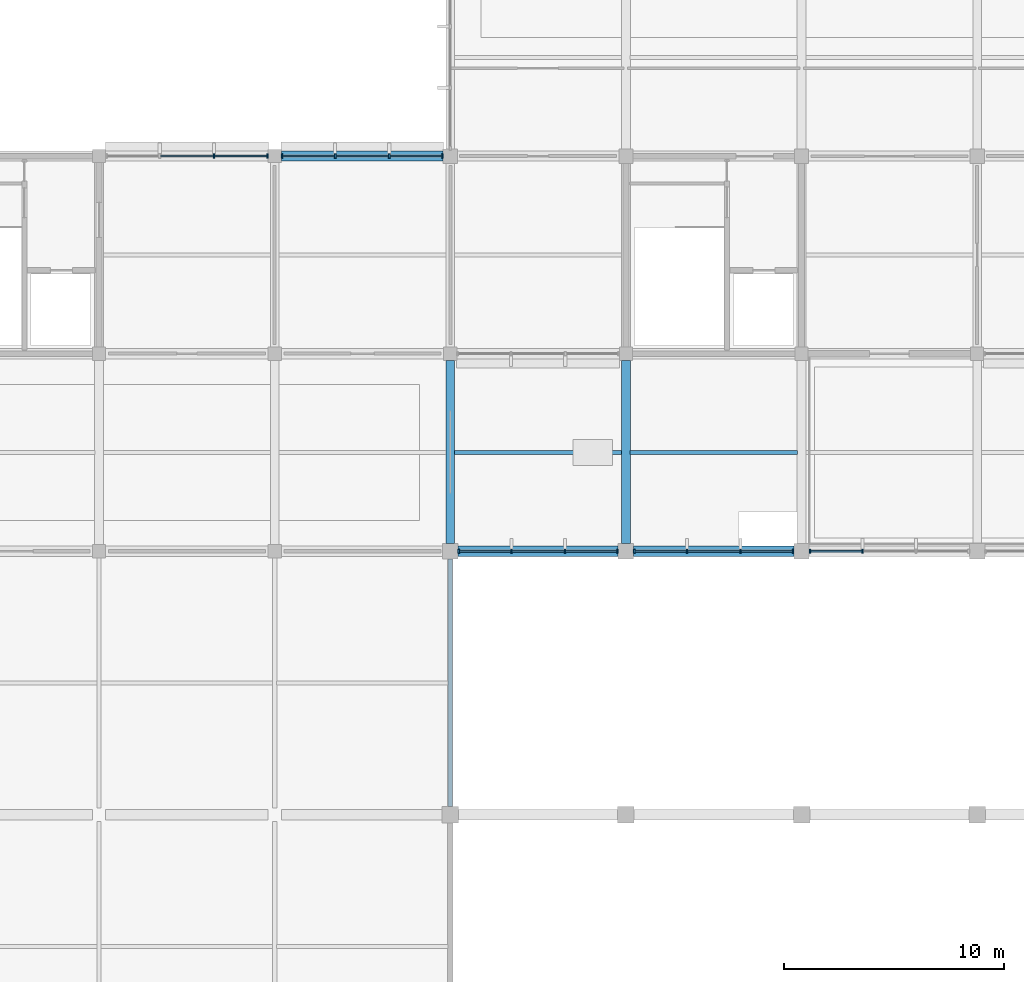
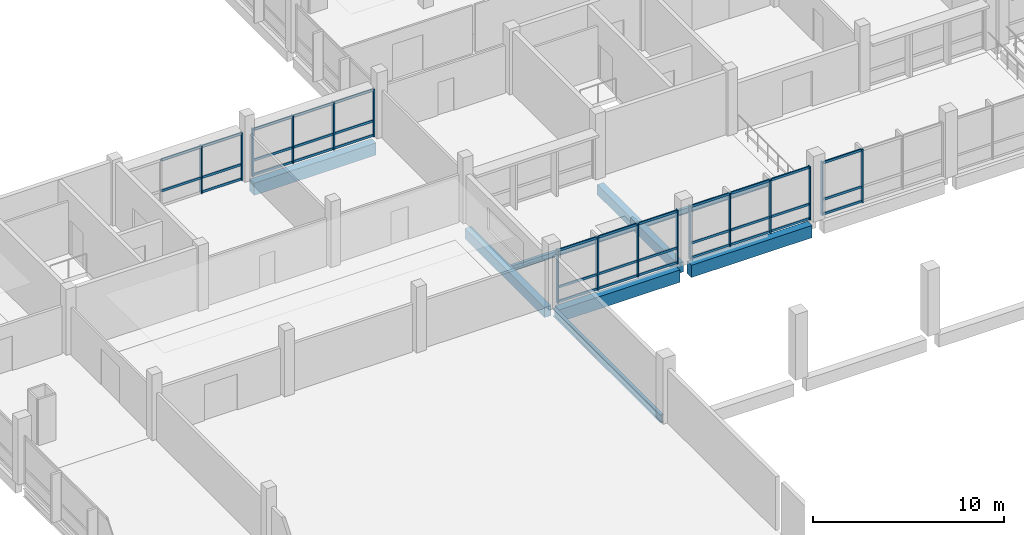
# One storey, part 19 of 70: 51 members, 8 beams, 5 elements without a shape of their own.
"""IFC4 building model written with IfcOpenShell, lengths in metres."""

from ifc_helpers import new_model, si_unit, direction, frame, origin, origin_2d, place, context, subcontext, project, spatial, rectangle, i_section, extrude, material, material_profile, profile_set, type_object, element, aggregate, save


model = new_model("IFC4")

# Units and contexts
model_context = context("Model", 3, precision=1e-05, world=origin(), true_north=direction((0.0, 1.0)))
body_context = subcontext(model_context, "Body", "Model", "MODEL_VIEW")
ifc_project = project(units=[si_unit("LENGTHUNIT", "METRE"), si_unit("AREAUNIT", "SQUARE_METRE"), si_unit("VOLUMEUNIT", "CUBIC_METRE"), si_unit("PLANEANGLEUNIT", "RADIAN"), si_unit("MASSUNIT", "GRAM", prefix="KILO"), si_unit("THERMODYNAMICTEMPERATUREUNIT", "KELVIN"), si_unit("POWERUNIT", "WATT")], contexts=[model_context])

# Site, building, storey
site_placement = place(None, origin())
site = spatial("IfcSite", under=ifc_project, at=site_placement, CompositionType="ELEMENT")
building_placement = place(site_placement, origin())
building = spatial("IfcBuilding", under=site, at=building_placement, Name="Kronsvod Quay Wholesale Market", CompositionType="ELEMENT")
storey_placement = place(building_placement, frame((0.0, 0.0, 9.0)))
storey = spatial("IfcBuildingStorey", under=building, at=storey_placement, Name="L02", CompositionType="ELEMENT", Elevation=9.0)

# Beams
ifc_material_1 = material(Name="Precast concrete C40/50", Category="concrete")
ifc_material_profile_1 = material_profile(ifc_material_1, rectangle(XDim=0.39990234375, YDim=0.64990234375, at=origin_2d()), Name="PCB400x650")
ifc_profile_set_1 = profile_set([ifc_material_profile_1], Name="Precast concrete C40/50")
beam_type_1 = type_object("IfcBeamType", Name="Beam_PCB400x650", PredefinedType="BEAM", material=ifc_profile_set_1)
for number, where, z_axis, x_axis, name in (
    (1, (32.0, 90.35009765625, -0.635009765625), (0.0, 1.0, 0.0), (-1.0, 0.0, 0.0), "BMY-L02-320-900"),
    (2, (40.0, 90.35009765625, -0.635009765625), (0.0, 1.0, 0.0), (-1.0, 0.0, 0.0), "BMY-L02-400-900"),
):
    element("IfcBeam", number, at=place(storey_placement, frame(where, z_axis=z_axis, x_axis=x_axis)), inside=storey, type_object=beam_type_1, Name=name, PredefinedType="BEAM", context=body_context, shape_type="SweptSolid", body=[
        extrude(rectangle(XDim=0.39990234375, YDim=0.64990234375, at=origin_2d()), origin(), (0.0, 0.0, 1.0), 8.349853515625),
    ])
ifc_material_2 = material(Name="Precast concrete C40/50", Category="concrete")
ifc_material_profile_2 = material_profile(ifc_material_2, rectangle(XDim=0.4599609375, YDim=0.780029296875, at=origin_2d()), Name="PB-03")
ifc_profile_set_2 = profile_set([ifc_material_profile_2], Name="Precast concrete C40/50")
beam_type_2 = type_object("IfcBeamType", Name="Beam_PCB460x780", PredefinedType="BEAM", material=ifc_profile_set_2)
for number, where, z_axis, x_axis, name in (
    (3, (32.35009765625, 90.0, -0.699951171875), (1.0, 0.0, 0.0), (0.0, 1.0, 0.0), "BMX-L02-320-900"),
    (4, (40.35009765625, 90.0, -0.64990234375), (1.0, 0.0, 0.0), (0.0, 1.0, 0.0), "BMX-L02-400-900"),
):
    element("IfcBeam", number, at=place(storey_placement, frame(where, z_axis=z_axis, x_axis=x_axis)), inside=storey, type_object=beam_type_2, Name=name, PredefinedType="BEAM", context=body_context, shape_type="SweptSolid", body=[
        extrude(rectangle(XDim=0.4599609375, YDim=0.780029296875, at=origin_2d()), origin(), (0.0, 0.0, 1.0), 7.2998046875),
    ])
beam_1_placement = place(storey_placement, frame((24.300048828125, 108.0, -0.699951171875), z_axis=(1.0, 0.0, 0.0), x_axis=(0.0, 1.0, 0.0)))
element("IfcBeam", 5, at=beam_1_placement, inside=storey, type_object=beam_type_2, Name="BMX-L02-240-1080", PredefinedType="BEAM", context=body_context, shape_type="SweptSolid", body=[
    extrude(rectangle(XDim=0.4599609375, YDim=0.780029296875, at=origin_2d()), origin(), (0.0, 0.0, 1.0), 7.375),
])
ifc_material_3 = material(Name="Steel S355", Category="steel")
ifc_material_profile_3 = material_profile(ifc_material_3, i_section(OverallWidth=0.198974609375, OverallDepth=0.49609375, WebThickness=0.009033203125, FlangeThickness=0.013916015625, FilletRadius=0.02001953125, at=origin_2d()), Name="50B1")
ifc_profile_set_3 = profile_set([ifc_material_profile_3], Name="Steel S355")
beam_type_3 = type_object("IfcBeamType", Name="Girder_Steel50B1", PredefinedType="T_BEAM", material=ifc_profile_set_3)
beam_2_placement = place(storey_placement, frame((32.0, 78.375, -0.22802734375), z_axis=(0.0, 1.0, 0.0), x_axis=(-1.0, 0.0, 0.0)))
element("IfcBeam", 6, at=beam_2_placement, inside=storey, type_object=beam_type_3, Name="BMY-L02-320-780", PredefinedType="T_BEAM", context=body_context, shape_type="SweptSolid", body=[
    extrude(i_section(OverallWidth=0.198974609375, OverallDepth=0.49609375, WebThickness=0.009033203125, FlangeThickness=0.013916015625, FilletRadius=0.02001953125, at=origin_2d()), origin(), (0.0, 0.0, 1.0), 11.27490234375),
])
ifc_material_4 = material(Name="Steel S355", Category="steel")
ifc_material_profile_4 = material_profile(ifc_material_4, i_section(OverallWidth=0.174072265625, OverallDepth=0.345947265625, WebThickness=0.006103515625, FlangeThickness=0.009033203125, FilletRadius=0.013916015625, at=origin_2d()), Name="35B1")
ifc_profile_set_4 = profile_set([ifc_material_profile_4], Name="Steel S355")
beam_type_4 = type_object("IfcBeamType", Name="Joist_Steel35B1", PredefinedType="JOIST", material=ifc_profile_set_4)
for number, where, z_axis, x_axis, name in (
    (7, (32.195068359375, 94.5, -0.43310546875), (1.0, 0.0, 0.0), (0.0, 1.0, 0.0), "JSTX-L02-320-900"),
    (8, (40.195068359375, 94.5, -0.43310546875), (1.0, 0.0, 0.0), (0.0, 1.0, 0.0), "JSTX-L02-400-900"),
):
    element("IfcBeam", number, at=place(storey_placement, frame(where, z_axis=z_axis, x_axis=x_axis)), inside=storey, type_object=beam_type_4, Name=name, PredefinedType="JOIST", context=body_context, shape_type="SweptSolid", body=[
        extrude(i_section(OverallWidth=0.174072265625, OverallDepth=0.345947265625, WebThickness=0.006103515625, FlangeThickness=0.009033203125, FilletRadius=0.013916015625, at=origin_2d()), origin(), (0.0, 0.0, 1.0), 7.60986328125),
    ])

# Curtain wall, members
ifc_material_5 = material(Name="Thermally broken aluminium and triple low-E glazing", Category="aluminium")
curtain_wall_type_1 = type_object("IfcCurtainWallType", Name="CW_Clerestory80x32", PredefinedType="NOTDEFINED", material=ifc_material_5)
curtain_wall_1_placement = place(storey_placement, origin())
curtain_wall_1 = element("IfcCurtainWall", 9, at=curtain_wall_1_placement, inside=storey, type_object=curtain_wall_type_1, Name="CWGX-L02-320-900", PredefinedType="NOTDEFINED")
ifc_material_6 = material(Name="Anodised aluminium", Category="aluminium")
ifc_material_profile_5 = material_profile(ifc_material_6, rectangle(XDim=0.074951171875, YDim=0.199951171875, at=origin_2d()), Name="ALUM75x200")
ifc_profile_set_5 = profile_set([ifc_material_profile_5], Name="Anodised aluminium")
member_type_1 = type_object("IfcMemberType", Name="Mullion_ALU75x200", PredefinedType="MULLION", material=ifc_profile_set_5)
member_1_placement = place(storey_placement, frame((39.617431640625, 90.0, 0.0), z_axis=(0.0, 0.0, 1.0), x_axis=(1.0, 0.0, 0.0)))
member_1 = element("IfcMember", 10, at=member_1_placement, type_object=member_type_1, Name="CWGX-L02-320-900-M1", PredefinedType="MULLION", context=body_context, shape_type="SweptSolid", body=[
    extrude(rectangle(XDim=0.074951171875, YDim=0.199951171875, at=origin_2d()), origin(), (0.0, 0.0, 1.0), 3.419921875),
])
member_2_placement = place(storey_placement, frame((37.21826171875, 90.0, 0.0), z_axis=(0.0, 0.0, 1.0), x_axis=(1.0, 0.0, 0.0)))
member_2 = element("IfcMember", 11, at=member_2_placement, type_object=member_type_1, Name="CWGX-L02-320-900-M2", PredefinedType="MULLION", context=body_context, shape_type="SweptSolid", body=[
    extrude(rectangle(XDim=0.074951171875, YDim=0.199951171875, at=origin_2d()), origin(), (0.0, 0.0, 1.0), 3.419921875),
])
member_3_placement = place(storey_placement, frame((34.78173828125, 90.0, 0.0), z_axis=(0.0, 0.0, 1.0), x_axis=(1.0, 0.0, 0.0)))
member_3 = element("IfcMember", 12, at=member_3_placement, type_object=member_type_1, Name="CWGX-L02-320-900-M3", PredefinedType="MULLION", context=body_context, shape_type="SweptSolid", body=[
    extrude(rectangle(XDim=0.074951171875, YDim=0.199951171875, at=origin_2d()), origin(), (0.0, 0.0, 1.0), 3.419921875),
])
member_4_placement = place(storey_placement, frame((32.382568359375, 90.0, 0.0), z_axis=(0.0, 0.0, 1.0), x_axis=(1.0, 0.0, 0.0)))
member_4 = element("IfcMember", 13, at=member_4_placement, type_object=member_type_1, Name="CWGX-L02-320-900-M4", PredefinedType="MULLION", context=body_context, shape_type="SweptSolid", body=[
    extrude(rectangle(XDim=0.074951171875, YDim=0.199951171875, at=origin_2d()), origin(), (0.0, 0.0, 1.0), 3.419921875),
])

curtain_wall_2_placement = place(storey_placement, origin())
curtain_wall_2 = element("IfcCurtainWall", 14, at=curtain_wall_2_placement, inside=storey, type_object=curtain_wall_type_1, Name="CWGX-L02-400-900", PredefinedType="NOTDEFINED")
member_5_placement = place(storey_placement, frame((47.617431640625, 90.0, 0.0), z_axis=(0.0, 0.0, 1.0), x_axis=(1.0, 0.0, 0.0)))
member_5 = element("IfcMember", 15, at=member_5_placement, type_object=member_type_1, Name="CWGX-L02-400-900-M1", PredefinedType="MULLION", context=body_context, shape_type="SweptSolid", body=[
    extrude(rectangle(XDim=0.074951171875, YDim=0.199951171875, at=origin_2d()), origin(), (0.0, 0.0, 1.0), 3.419921875),
])
member_6_placement = place(storey_placement, frame((45.21826171875, 90.0, 0.0), z_axis=(0.0, 0.0, 1.0), x_axis=(1.0, 0.0, 0.0)))
member_6 = element("IfcMember", 16, at=member_6_placement, type_object=member_type_1, Name="CWGX-L02-400-900-M2", PredefinedType="MULLION", context=body_context, shape_type="SweptSolid", body=[
    extrude(rectangle(XDim=0.074951171875, YDim=0.199951171875, at=origin_2d()), origin(), (0.0, 0.0, 1.0), 3.419921875),
])
member_7_placement = place(storey_placement, frame((42.78173828125, 90.0, 0.0), z_axis=(0.0, 0.0, 1.0), x_axis=(1.0, 0.0, 0.0)))
member_7 = element("IfcMember", 17, at=member_7_placement, type_object=member_type_1, Name="CWGX-L02-400-900-M3", PredefinedType="MULLION", context=body_context, shape_type="SweptSolid", body=[
    extrude(rectangle(XDim=0.074951171875, YDim=0.199951171875, at=origin_2d()), origin(), (0.0, 0.0, 1.0), 3.419921875),
])
member_8_placement = place(storey_placement, frame((40.382568359375, 90.0, 0.0), z_axis=(0.0, 0.0, 1.0), x_axis=(1.0, 0.0, 0.0)))
member_8 = element("IfcMember", 18, at=member_8_placement, type_object=member_type_1, Name="CWGX-L02-400-900-M4", PredefinedType="MULLION", context=body_context, shape_type="SweptSolid", body=[
    extrude(rectangle(XDim=0.074951171875, YDim=0.199951171875, at=origin_2d()), origin(), (0.0, 0.0, 1.0), 3.419921875),
])

curtain_wall_3_placement = place(storey_placement, origin())
curtain_wall_3 = element("IfcCurtainWall", 19, at=curtain_wall_3_placement, inside=storey, type_object=curtain_wall_type_1, Name="CWGX-L02-480-900", PredefinedType="NOTDEFINED")
member_9_placement = place(storey_placement, frame((50.78173828125, 90.0, 0.0), z_axis=(0.0, 0.0, 1.0), x_axis=(1.0, 0.0, 0.0)))
member_9 = element("IfcMember", 20, at=member_9_placement, type_object=member_type_1, Name="CWGX-L02-480-900-M3", PredefinedType="MULLION", context=body_context, shape_type="SweptSolid", body=[
    extrude(rectangle(XDim=0.074951171875, YDim=0.199951171875, at=origin_2d()), origin(), (0.0, 0.0, 1.0), 3.419921875),
])
member_10_placement = place(storey_placement, frame((48.382568359375, 90.0, 0.0), z_axis=(0.0, 0.0, 1.0), x_axis=(1.0, 0.0, 0.0)))
member_10 = element("IfcMember", 21, at=member_10_placement, type_object=member_type_1, Name="CWGX-L02-480-900-M4", PredefinedType="MULLION", context=body_context, shape_type="SweptSolid", body=[
    extrude(rectangle(XDim=0.074951171875, YDim=0.199951171875, at=origin_2d()), origin(), (0.0, 0.0, 1.0), 3.419921875),
])

ifc_material_7 = material(Name="Thermally broken aluminium and triple low-E glazing", Category="aluminium")
curtain_wall_type_2 = type_object("IfcCurtainWallType", Name="CW_Forecourt80x33", PredefinedType="NOTDEFINED", material=ifc_material_7)
curtain_wall_4_placement = place(storey_placement, origin())
curtain_wall_4 = element("IfcCurtainWall", 22, at=curtain_wall_4_placement, inside=storey, type_object=curtain_wall_type_2, Name="CWGX-L02-160-1080", PredefinedType="NOTDEFINED")
member_11_placement = place(storey_placement, frame((23.66748046875, 108.0, 0.0), z_axis=(0.0, 0.0, 1.0), x_axis=(1.0, 0.0, 0.0)))
member_11 = element("IfcMember", 23, at=member_11_placement, type_object=member_type_1, Name="CWGX-L02-160-1080-M1", PredefinedType="MULLION", context=body_context, shape_type="SweptSolid", body=[
    extrude(rectangle(XDim=0.074951171875, YDim=0.199951171875, at=origin_2d()), origin(), (0.0, 0.0, 1.0), 3.050048828125),
])
member_12_placement = place(storey_placement, frame((21.235107421875, 108.0, 0.0), z_axis=(0.0, 0.0, 1.0), x_axis=(1.0, 0.0, 0.0)))
member_12 = element("IfcMember", 24, at=member_12_placement, type_object=member_type_1, Name="CWGX-L02-160-1080-M2", PredefinedType="MULLION", context=body_context, shape_type="SweptSolid", body=[
    extrude(rectangle(XDim=0.074951171875, YDim=0.199951171875, at=origin_2d()), origin(), (0.0, 0.0, 1.0), 3.050048828125),
])

curtain_wall_5_placement = place(storey_placement, origin())
curtain_wall_5 = element("IfcCurtainWall", 25, at=curtain_wall_5_placement, inside=storey, type_object=curtain_wall_type_2, Name="CWGX-L02-240-1080", PredefinedType="NOTDEFINED")
member_13_placement = place(storey_placement, frame((31.642578125, 108.0, 0.0), z_axis=(0.0, 0.0, 1.0), x_axis=(1.0, 0.0, 0.0)))
member_13 = element("IfcMember", 26, at=member_13_placement, type_object=member_type_1, Name="CWGX-L02-240-1080-M1", PredefinedType="MULLION", context=body_context, shape_type="SweptSolid", body=[
    extrude(rectangle(XDim=0.074951171875, YDim=0.199951171875, at=origin_2d()), origin(), (0.0, 0.0, 1.0), 3.050048828125),
])
member_14_placement = place(storey_placement, frame((29.21826171875, 108.0, 0.0), z_axis=(0.0, 0.0, 1.0), x_axis=(1.0, 0.0, 0.0)))
member_14 = element("IfcMember", 27, at=member_14_placement, type_object=member_type_1, Name="CWGX-L02-240-1080-M2", PredefinedType="MULLION", context=body_context, shape_type="SweptSolid", body=[
    extrude(rectangle(XDim=0.074951171875, YDim=0.199951171875, at=origin_2d()), origin(), (0.0, 0.0, 1.0), 3.050048828125),
])
member_15_placement = place(storey_placement, frame((26.756591796875, 108.0, 0.0), z_axis=(0.0, 0.0, 1.0), x_axis=(1.0, 0.0, 0.0)))
member_15 = element("IfcMember", 28, at=member_15_placement, type_object=member_type_1, Name="CWGX-L02-240-1080-M3", PredefinedType="MULLION", context=body_context, shape_type="SweptSolid", body=[
    extrude(rectangle(XDim=0.074951171875, YDim=0.199951171875, at=origin_2d()), origin(), (0.0, 0.0, 1.0), 3.050048828125),
])
member_16_placement = place(storey_placement, frame((24.33251953125, 108.0, 0.0), z_axis=(0.0, 0.0, 1.0), x_axis=(1.0, 0.0, 0.0)))
member_16 = element("IfcMember", 29, at=member_16_placement, type_object=member_type_1, Name="CWGX-L02-240-1080-M4", PredefinedType="MULLION", context=body_context, shape_type="SweptSolid", body=[
    extrude(rectangle(XDim=0.074951171875, YDim=0.199951171875, at=origin_2d()), origin(), (0.0, 0.0, 1.0), 3.050048828125),
])

# Member
ifc_material_8 = material(Name="Anodised aluminium", Category="aluminium")
ifc_material_profile_6 = material_profile(ifc_material_8, rectangle(XDim=0.074951171875, YDim=0.14990234375, at=origin_2d()), Name="ALUT75x150")
ifc_profile_set_6 = profile_set([ifc_material_profile_6], Name="Anodised aluminium")
member_type_2 = type_object("IfcMemberType", Name="Transom_ALU75x150", PredefinedType="USERDEFINED", material=ifc_profile_set_6)
member_17_placement = place(storey_placement, frame((39.580078125, 90.0, 0.074951171875), z_axis=(-1.0, 0.0, 0.0), x_axis=(0.0, -1.0, 0.0)))
member_17 = element("IfcMember", 30, at=member_17_placement, type_object=member_type_2, Name="CWGX-L02-320-900-T1B1", ObjectType="TRANSOM", PredefinedType="USERDEFINED", context=body_context, shape_type="SweptSolid", body=[
    extrude(rectangle(XDim=0.074951171875, YDim=0.14990234375, at=origin_2d()), origin(), (0.0, 0.0, 1.0), 2.32421875),
])

member_18_placement = place(storey_placement, frame((37.180908203125, 90.0, 0.074951171875), z_axis=(-1.0, 0.0, 0.0), x_axis=(0.0, -1.0, 0.0)))
member_18 = element("IfcMember", 31, at=member_18_placement, type_object=member_type_2, Name="CWGX-L02-320-900-T1B2", ObjectType="TRANSOM", PredefinedType="USERDEFINED", context=body_context, shape_type="SweptSolid", body=[
    extrude(rectangle(XDim=0.074951171875, YDim=0.14990234375, at=origin_2d()), origin(), (0.0, 0.0, 1.0), 2.36181640625),
])

member_19_placement = place(storey_placement, frame((34.744140625, 90.0, 0.074951171875), z_axis=(-1.0, 0.0, 0.0), x_axis=(0.0, -1.0, 0.0)))
member_19 = element("IfcMember", 32, at=member_19_placement, type_object=member_type_2, Name="CWGX-L02-320-900-T1B3", ObjectType="TRANSOM", PredefinedType="USERDEFINED", context=body_context, shape_type="SweptSolid", body=[
    extrude(rectangle(XDim=0.074951171875, YDim=0.14990234375, at=origin_2d()), origin(), (0.0, 0.0, 1.0), 2.32421875),
])

member_20_placement = place(storey_placement, frame((39.580078125, 90.0, 1.0), z_axis=(-1.0, 0.0, 0.0), x_axis=(0.0, -1.0, 0.0)))
member_20 = element("IfcMember", 33, at=member_20_placement, type_object=member_type_2, Name="CWGX-L02-320-900-T2B1", ObjectType="TRANSOM", PredefinedType="USERDEFINED", context=body_context, shape_type="SweptSolid", body=[
    extrude(rectangle(XDim=0.074951171875, YDim=0.14990234375, at=origin_2d()), origin(), (0.0, 0.0, 1.0), 2.32421875),
])

member_21_placement = place(storey_placement, frame((37.180908203125, 90.0, 1.0), z_axis=(-1.0, 0.0, 0.0), x_axis=(0.0, -1.0, 0.0)))
member_21 = element("IfcMember", 34, at=member_21_placement, type_object=member_type_2, Name="CWGX-L02-320-900-T2B2", ObjectType="TRANSOM", PredefinedType="USERDEFINED", context=body_context, shape_type="SweptSolid", body=[
    extrude(rectangle(XDim=0.074951171875, YDim=0.14990234375, at=origin_2d()), origin(), (0.0, 0.0, 1.0), 2.36181640625),
])

member_22_placement = place(storey_placement, frame((34.744140625, 90.0, 1.0), z_axis=(-1.0, 0.0, 0.0), x_axis=(0.0, -1.0, 0.0)))
member_22 = element("IfcMember", 35, at=member_22_placement, type_object=member_type_2, Name="CWGX-L02-320-900-T2B3", ObjectType="TRANSOM", PredefinedType="USERDEFINED", context=body_context, shape_type="SweptSolid", body=[
    extrude(rectangle(XDim=0.074951171875, YDim=0.14990234375, at=origin_2d()), origin(), (0.0, 0.0, 1.0), 2.32421875),
])

member_23_placement = place(storey_placement, frame((39.580078125, 90.0, 3.344970703125), z_axis=(-1.0, 0.0, 0.0), x_axis=(0.0, -1.0, 0.0)))
member_23 = element("IfcMember", 36, at=member_23_placement, type_object=member_type_2, Name="CWGX-L02-320-900-T3B1", ObjectType="TRANSOM", PredefinedType="USERDEFINED", context=body_context, shape_type="SweptSolid", body=[
    extrude(rectangle(XDim=0.074951171875, YDim=0.14990234375, at=origin_2d()), origin(), (0.0, 0.0, 1.0), 2.32421875),
])

member_24_placement = place(storey_placement, frame((37.180908203125, 90.0, 3.344970703125), z_axis=(-1.0, 0.0, 0.0), x_axis=(0.0, -1.0, 0.0)))
member_24 = element("IfcMember", 37, at=member_24_placement, type_object=member_type_2, Name="CWGX-L02-320-900-T3B2", ObjectType="TRANSOM", PredefinedType="USERDEFINED", context=body_context, shape_type="SweptSolid", body=[
    extrude(rectangle(XDim=0.074951171875, YDim=0.14990234375, at=origin_2d()), origin(), (0.0, 0.0, 1.0), 2.36181640625),
])

member_25_placement = place(storey_placement, frame((34.744140625, 90.0, 3.344970703125), z_axis=(-1.0, 0.0, 0.0), x_axis=(0.0, -1.0, 0.0)))
member_25 = element("IfcMember", 38, at=member_25_placement, type_object=member_type_2, Name="CWGX-L02-320-900-T3B3", ObjectType="TRANSOM", PredefinedType="USERDEFINED", context=body_context, shape_type="SweptSolid", body=[
    extrude(rectangle(XDim=0.074951171875, YDim=0.14990234375, at=origin_2d()), origin(), (0.0, 0.0, 1.0), 2.32421875),
])

aggregate(curtain_wall_1, [member_1, member_2, member_3, member_4, member_17, member_18, member_19, member_20, member_21, member_22, member_23, member_24, member_25])

member_26_placement = place(storey_placement, frame((47.580078125, 90.0, 0.074951171875), z_axis=(-1.0, 0.0, 0.0), x_axis=(0.0, -1.0, 0.0)))
member_26 = element("IfcMember", 39, at=member_26_placement, type_object=member_type_2, Name="CWGX-L02-400-900-T1B1", ObjectType="TRANSOM", PredefinedType="USERDEFINED", context=body_context, shape_type="SweptSolid", body=[
    extrude(rectangle(XDim=0.074951171875, YDim=0.14990234375, at=origin_2d()), origin(), (0.0, 0.0, 1.0), 2.32421875),
])

member_27_placement = place(storey_placement, frame((45.180908203125, 90.0, 0.074951171875), z_axis=(-1.0, 0.0, 0.0), x_axis=(0.0, -1.0, 0.0)))
member_27 = element("IfcMember", 40, at=member_27_placement, type_object=member_type_2, Name="CWGX-L02-400-900-T1B2", ObjectType="TRANSOM", PredefinedType="USERDEFINED", context=body_context, shape_type="SweptSolid", body=[
    extrude(rectangle(XDim=0.074951171875, YDim=0.14990234375, at=origin_2d()), origin(), (0.0, 0.0, 1.0), 2.36181640625),
])

member_28_placement = place(storey_placement, frame((42.744140625, 90.0, 0.074951171875), z_axis=(-1.0, 0.0, 0.0), x_axis=(0.0, -1.0, 0.0)))
member_28 = element("IfcMember", 41, at=member_28_placement, type_object=member_type_2, Name="CWGX-L02-400-900-T1B3", ObjectType="TRANSOM", PredefinedType="USERDEFINED", context=body_context, shape_type="SweptSolid", body=[
    extrude(rectangle(XDim=0.074951171875, YDim=0.14990234375, at=origin_2d()), origin(), (0.0, 0.0, 1.0), 2.32421875),
])

member_29_placement = place(storey_placement, frame((47.580078125, 90.0, 1.0), z_axis=(-1.0, 0.0, 0.0), x_axis=(0.0, -1.0, 0.0)))
member_29 = element("IfcMember", 42, at=member_29_placement, type_object=member_type_2, Name="CWGX-L02-400-900-T2B1", ObjectType="TRANSOM", PredefinedType="USERDEFINED", context=body_context, shape_type="SweptSolid", body=[
    extrude(rectangle(XDim=0.074951171875, YDim=0.14990234375, at=origin_2d()), origin(), (0.0, 0.0, 1.0), 2.32421875),
])

member_30_placement = place(storey_placement, frame((45.180908203125, 90.0, 1.0), z_axis=(-1.0, 0.0, 0.0), x_axis=(0.0, -1.0, 0.0)))
member_30 = element("IfcMember", 43, at=member_30_placement, type_object=member_type_2, Name="CWGX-L02-400-900-T2B2", ObjectType="TRANSOM", PredefinedType="USERDEFINED", context=body_context, shape_type="SweptSolid", body=[
    extrude(rectangle(XDim=0.074951171875, YDim=0.14990234375, at=origin_2d()), origin(), (0.0, 0.0, 1.0), 2.36181640625),
])

member_31_placement = place(storey_placement, frame((42.744140625, 90.0, 1.0), z_axis=(-1.0, 0.0, 0.0), x_axis=(0.0, -1.0, 0.0)))
member_31 = element("IfcMember", 44, at=member_31_placement, type_object=member_type_2, Name="CWGX-L02-400-900-T2B3", ObjectType="TRANSOM", PredefinedType="USERDEFINED", context=body_context, shape_type="SweptSolid", body=[
    extrude(rectangle(XDim=0.074951171875, YDim=0.14990234375, at=origin_2d()), origin(), (0.0, 0.0, 1.0), 2.32421875),
])

member_32_placement = place(storey_placement, frame((47.580078125, 90.0, 3.344970703125), z_axis=(-1.0, 0.0, 0.0), x_axis=(0.0, -1.0, 0.0)))
member_32 = element("IfcMember", 45, at=member_32_placement, type_object=member_type_2, Name="CWGX-L02-400-900-T3B1", ObjectType="TRANSOM", PredefinedType="USERDEFINED", context=body_context, shape_type="SweptSolid", body=[
    extrude(rectangle(XDim=0.074951171875, YDim=0.14990234375, at=origin_2d()), origin(), (0.0, 0.0, 1.0), 2.32421875),
])

member_33_placement = place(storey_placement, frame((45.180908203125, 90.0, 3.344970703125), z_axis=(-1.0, 0.0, 0.0), x_axis=(0.0, -1.0, 0.0)))
member_33 = element("IfcMember", 46, at=member_33_placement, type_object=member_type_2, Name="CWGX-L02-400-900-T3B2", ObjectType="TRANSOM", PredefinedType="USERDEFINED", context=body_context, shape_type="SweptSolid", body=[
    extrude(rectangle(XDim=0.074951171875, YDim=0.14990234375, at=origin_2d()), origin(), (0.0, 0.0, 1.0), 2.36181640625),
])

member_34_placement = place(storey_placement, frame((42.744140625, 90.0, 3.344970703125), z_axis=(-1.0, 0.0, 0.0), x_axis=(0.0, -1.0, 0.0)))
member_34 = element("IfcMember", 47, at=member_34_placement, type_object=member_type_2, Name="CWGX-L02-400-900-T3B3", ObjectType="TRANSOM", PredefinedType="USERDEFINED", context=body_context, shape_type="SweptSolid", body=[
    extrude(rectangle(XDim=0.074951171875, YDim=0.14990234375, at=origin_2d()), origin(), (0.0, 0.0, 1.0), 2.32421875),
])

aggregate(curtain_wall_2, [member_5, member_6, member_7, member_8, member_26, member_27, member_28, member_29, member_30, member_31, member_32, member_33, member_34])

member_35_placement = place(storey_placement, frame((50.744140625, 90.0, 0.074951171875), z_axis=(-1.0, 0.0, 0.0), x_axis=(0.0, -1.0, 0.0)))
member_35 = element("IfcMember", 48, at=member_35_placement, type_object=member_type_2, Name="CWGX-L02-480-900-T1B3", ObjectType="TRANSOM", PredefinedType="USERDEFINED", context=body_context, shape_type="SweptSolid", body=[
    extrude(rectangle(XDim=0.074951171875, YDim=0.14990234375, at=origin_2d()), origin(), (0.0, 0.0, 1.0), 2.32421875),
])

member_36_placement = place(storey_placement, frame((50.744140625, 90.0, 1.0), z_axis=(-1.0, 0.0, 0.0), x_axis=(0.0, -1.0, 0.0)))
member_36 = element("IfcMember", 49, at=member_36_placement, type_object=member_type_2, Name="CWGX-L02-480-900-T2B3", ObjectType="TRANSOM", PredefinedType="USERDEFINED", context=body_context, shape_type="SweptSolid", body=[
    extrude(rectangle(XDim=0.074951171875, YDim=0.14990234375, at=origin_2d()), origin(), (0.0, 0.0, 1.0), 2.32421875),
])

member_37_placement = place(storey_placement, frame((50.744140625, 90.0, 3.344970703125), z_axis=(-1.0, 0.0, 0.0), x_axis=(0.0, -1.0, 0.0)))
member_37 = element("IfcMember", 50, at=member_37_placement, type_object=member_type_2, Name="CWGX-L02-480-900-T3B3", ObjectType="TRANSOM", PredefinedType="USERDEFINED", context=body_context, shape_type="SweptSolid", body=[
    extrude(rectangle(XDim=0.074951171875, YDim=0.14990234375, at=origin_2d()), origin(), (0.0, 0.0, 1.0), 2.32421875),
])

aggregate(curtain_wall_3, [member_9, member_10, member_35, member_36, member_37])

member_38_placement = place(storey_placement, frame((23.6298828125, 108.0, 0.074951171875), z_axis=(-1.0, 0.0, 0.0), x_axis=(0.0, -1.0, 0.0)))
member_38 = element("IfcMember", 51, at=member_38_placement, type_object=member_type_2, Name="CWGX-L02-160-1080-T1B1", ObjectType="TRANSOM", PredefinedType="USERDEFINED", context=body_context, shape_type="SweptSolid", body=[
    extrude(rectangle(XDim=0.074951171875, YDim=0.14990234375, at=origin_2d()), origin(), (0.0, 0.0, 1.0), 2.357421875),
])

member_39_placement = place(storey_placement, frame((23.6298828125, 108.0, 1.0), z_axis=(-1.0, 0.0, 0.0), x_axis=(0.0, -1.0, 0.0)))
member_39 = element("IfcMember", 52, at=member_39_placement, type_object=member_type_2, Name="CWGX-L02-160-1080-T2B1", ObjectType="TRANSOM", PredefinedType="USERDEFINED", context=body_context, shape_type="SweptSolid", body=[
    extrude(rectangle(XDim=0.074951171875, YDim=0.14990234375, at=origin_2d()), origin(), (0.0, 0.0, 1.0), 2.357421875),
])

member_40_placement = place(storey_placement, frame((21.197509765625, 108.0, 1.0), z_axis=(-1.0, 0.0, 0.0), x_axis=(0.0, -1.0, 0.0)))
member_40 = element("IfcMember", 53, at=member_40_placement, type_object=member_type_2, Name="CWGX-L02-160-1080-T2B2", ObjectType="TRANSOM", PredefinedType="USERDEFINED", context=body_context, shape_type="SweptSolid", body=[
    extrude(rectangle(XDim=0.074951171875, YDim=0.14990234375, at=origin_2d()), origin(), (0.0, 0.0, 1.0), 2.39501953125),
])

member_41_placement = place(storey_placement, frame((23.6298828125, 108.0, 2.97509765625), z_axis=(-1.0, 0.0, 0.0), x_axis=(0.0, -1.0, 0.0)))
member_41 = element("IfcMember", 54, at=member_41_placement, type_object=member_type_2, Name="CWGX-L02-160-1080-T3B1", ObjectType="TRANSOM", PredefinedType="USERDEFINED", context=body_context, shape_type="SweptSolid", body=[
    extrude(rectangle(XDim=0.074951171875, YDim=0.14990234375, at=origin_2d()), origin(), (0.0, 0.0, 1.0), 2.357421875),
])

member_42_placement = place(storey_placement, frame((21.197509765625, 108.0, 2.97509765625), z_axis=(-1.0, 0.0, 0.0), x_axis=(0.0, -1.0, 0.0)))
member_42 = element("IfcMember", 55, at=member_42_placement, type_object=member_type_2, Name="CWGX-L02-160-1080-T3B2", ObjectType="TRANSOM", PredefinedType="USERDEFINED", context=body_context, shape_type="SweptSolid", body=[
    extrude(rectangle(XDim=0.074951171875, YDim=0.14990234375, at=origin_2d()), origin(), (0.0, 0.0, 1.0), 2.39501953125),
])

aggregate(curtain_wall_4, [member_11, member_12, member_38, member_39, member_40, member_41, member_42])

member_43_placement = place(storey_placement, frame((31.60498046875, 108.0, 0.074951171875), z_axis=(-1.0, 0.0, 0.0), x_axis=(0.0, -1.0, 0.0)))
member_43 = element("IfcMember", 56, at=member_43_placement, type_object=member_type_2, Name="CWGX-L02-240-1080-T1B1", ObjectType="TRANSOM", PredefinedType="USERDEFINED", context=body_context, shape_type="SweptSolid", body=[
    extrude(rectangle(XDim=0.074951171875, YDim=0.14990234375, at=origin_2d()), origin(), (0.0, 0.0, 1.0), 2.34912109375),
])

member_44_placement = place(storey_placement, frame((29.180908203125, 108.0, 0.074951171875), z_axis=(-1.0, 0.0, 0.0), x_axis=(0.0, -1.0, 0.0)))
member_44 = element("IfcMember", 57, at=member_44_placement, type_object=member_type_2, Name="CWGX-L02-240-1080-T1B2", ObjectType="TRANSOM", PredefinedType="USERDEFINED", context=body_context, shape_type="SweptSolid", body=[
    extrude(rectangle(XDim=0.074951171875, YDim=0.14990234375, at=origin_2d()), origin(), (0.0, 0.0, 1.0), 2.38671875),
])

member_45_placement = place(storey_placement, frame((26.71923828125, 108.0, 0.074951171875), z_axis=(-1.0, 0.0, 0.0), x_axis=(0.0, -1.0, 0.0)))
member_45 = element("IfcMember", 58, at=member_45_placement, type_object=member_type_2, Name="CWGX-L02-240-1080-T1B3", ObjectType="TRANSOM", PredefinedType="USERDEFINED", context=body_context, shape_type="SweptSolid", body=[
    extrude(rectangle(XDim=0.074951171875, YDim=0.14990234375, at=origin_2d()), origin(), (0.0, 0.0, 1.0), 2.34912109375),
])

member_46_placement = place(storey_placement, frame((31.60498046875, 108.0, 1.0), z_axis=(-1.0, 0.0, 0.0), x_axis=(0.0, -1.0, 0.0)))
member_46 = element("IfcMember", 59, at=member_46_placement, type_object=member_type_2, Name="CWGX-L02-240-1080-T2B1", ObjectType="TRANSOM", PredefinedType="USERDEFINED", context=body_context, shape_type="SweptSolid", body=[
    extrude(rectangle(XDim=0.074951171875, YDim=0.14990234375, at=origin_2d()), origin(), (0.0, 0.0, 1.0), 2.34912109375),
])

member_47_placement = place(storey_placement, frame((29.180908203125, 108.0, 1.0), z_axis=(-1.0, 0.0, 0.0), x_axis=(0.0, -1.0, 0.0)))
member_47 = element("IfcMember", 60, at=member_47_placement, type_object=member_type_2, Name="CWGX-L02-240-1080-T2B2", ObjectType="TRANSOM", PredefinedType="USERDEFINED", context=body_context, shape_type="SweptSolid", body=[
    extrude(rectangle(XDim=0.074951171875, YDim=0.14990234375, at=origin_2d()), origin(), (0.0, 0.0, 1.0), 2.38671875),
])

member_48_placement = place(storey_placement, frame((26.71923828125, 108.0, 1.0), z_axis=(-1.0, 0.0, 0.0), x_axis=(0.0, -1.0, 0.0)))
member_48 = element("IfcMember", 61, at=member_48_placement, type_object=member_type_2, Name="CWGX-L02-240-1080-T2B3", ObjectType="TRANSOM", PredefinedType="USERDEFINED", context=body_context, shape_type="SweptSolid", body=[
    extrude(rectangle(XDim=0.074951171875, YDim=0.14990234375, at=origin_2d()), origin(), (0.0, 0.0, 1.0), 2.34912109375),
])

member_49_placement = place(storey_placement, frame((31.60498046875, 108.0, 2.97509765625), z_axis=(-1.0, 0.0, 0.0), x_axis=(0.0, -1.0, 0.0)))
member_49 = element("IfcMember", 62, at=member_49_placement, type_object=member_type_2, Name="CWGX-L02-240-1080-T3B1", ObjectType="TRANSOM", PredefinedType="USERDEFINED", context=body_context, shape_type="SweptSolid", body=[
    extrude(rectangle(XDim=0.074951171875, YDim=0.14990234375, at=origin_2d()), origin(), (0.0, 0.0, 1.0), 2.34912109375),
])

member_50_placement = place(storey_placement, frame((29.180908203125, 108.0, 2.97509765625), z_axis=(-1.0, 0.0, 0.0), x_axis=(0.0, -1.0, 0.0)))
member_50 = element("IfcMember", 63, at=member_50_placement, type_object=member_type_2, Name="CWGX-L02-240-1080-T3B2", ObjectType="TRANSOM", PredefinedType="USERDEFINED", context=body_context, shape_type="SweptSolid", body=[
    extrude(rectangle(XDim=0.074951171875, YDim=0.14990234375, at=origin_2d()), origin(), (0.0, 0.0, 1.0), 2.38671875),
])

member_51_placement = place(storey_placement, frame((26.71923828125, 108.0, 2.97509765625), z_axis=(-1.0, 0.0, 0.0), x_axis=(0.0, -1.0, 0.0)))
member_51 = element("IfcMember", 64, at=member_51_placement, type_object=member_type_2, Name="CWGX-L02-240-1080-T3B3", ObjectType="TRANSOM", PredefinedType="USERDEFINED", context=body_context, shape_type="SweptSolid", body=[
    extrude(rectangle(XDim=0.074951171875, YDim=0.14990234375, at=origin_2d()), origin(), (0.0, 0.0, 1.0), 2.34912109375),
])

aggregate(curtain_wall_5, [member_13, member_14, member_15, member_16, member_43, member_44, member_45, member_46, member_47, member_48, member_49, member_50, member_51])

save(model, "model.ifc")
